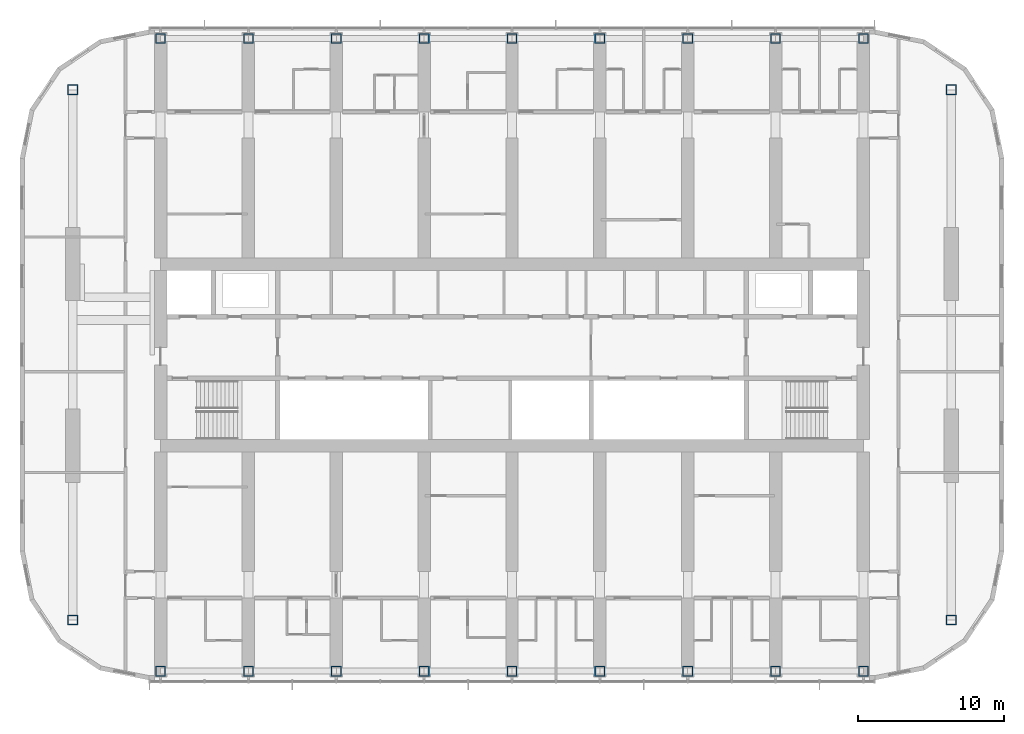
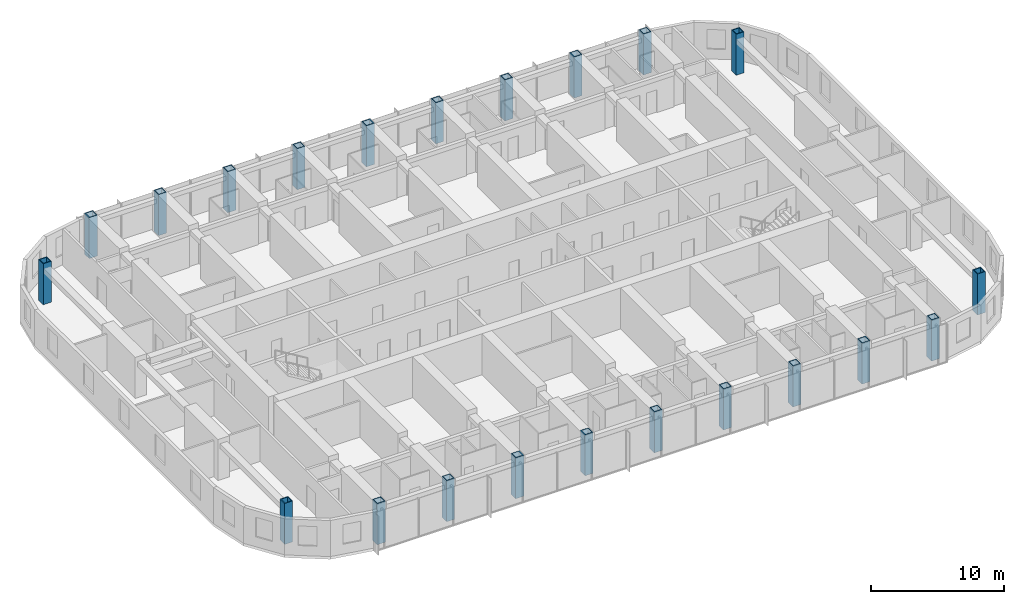
# One storey, part 1 of 23: 22 columns.
"""IFC4 building model written with IfcOpenShell, lengths in metres."""

from ifc_helpers import new_model, si_unit, direction, frame, origin, origin_2d, place, context, subcontext, project, spatial, hollow_rectangle, extrude, material, material_profile, profile_set, type_object, element, save


model = new_model("IFC4")

# Units and contexts
model_context = context("Model", 3, precision=1e-05, world=origin(), true_north=direction((0.0, 1.0)))
body_context = subcontext(model_context, "Body", "Model", "MODEL_VIEW")
ifc_project = project(units=[si_unit("LENGTHUNIT", "METRE"), si_unit("AREAUNIT", "SQUARE_METRE"), si_unit("VOLUMEUNIT", "CUBIC_METRE"), si_unit("PLANEANGLEUNIT", "RADIAN"), si_unit("MASSUNIT", "GRAM", prefix="KILO")], contexts=[model_context])

# Site, building, storey
site_placement = place(None, origin())
site = spatial("IfcSite", under=ifc_project, at=site_placement, CompositionType="ELEMENT")
building_placement = place(site_placement, origin())
building = spatial("IfcBuilding", under=site, at=building_placement, Name="Orbita Commons", CompositionType="ELEMENT")
storey_placement = place(building_placement, frame((0.0, 0.0, 174.85009765625)))
storey = spatial("IfcBuildingStorey", under=building, at=storey_placement, Name="L43", CompositionType="ELEMENT", Elevation=174.85009765625)

# Columns
ifc_material = material(Name="Steel ASTM A572 Gr 50 welded plate", Category="steel")
ifc_material_profile = material_profile(ifc_material, hollow_rectangle(XDim=0.699951171875, YDim=0.699951171875, WallThickness=0.070068359375, at=origin_2d()), Name="BOX 700x700x70")
ifc_profile_set = profile_set([ifc_material_profile], Name="Steel ASTM A572 Gr 50 welded plate")
column_type = type_object("IfcColumnType", Name="Steel column BOX 700x700x70", PredefinedType="COLUMN", material=ifc_profile_set)
for number, where, z_axis, x_axis, name in (
    (1, (18.0, 10.39990234375, 0.0), (0.0, 0.0, 1.0), (1.0, 0.0, 0.0), "Column 4/B L43"),
    (2, (18.0, 53.60009765625, 0.0), (0.0, 0.0, 1.0), (1.0, 0.0, 0.0), "Column 4/E L43"),
    (3, (24.0, 10.39990234375, 0.0), (0.0, 0.0, 1.0), (1.0, 0.0, 0.0), "Column 5/B L43"),
    (4, (24.0, 53.60009765625, 0.0), (0.0, 0.0, 1.0), (1.0, 0.0, 0.0), "Column 5/E L43"),
    (5, (30.0, 10.39990234375, 0.0), (0.0, 0.0, 1.0), (1.0, 0.0, 0.0), "Column 6/B L43"),
    (6, (30.0, 53.60009765625, 0.0), (0.0, 0.0, 1.0), (1.0, 0.0, 0.0), "Column 6/E L43"),
    (7, (36.0, 10.39990234375, 0.0), (0.0, 0.0, 1.0), (1.0, 0.0, 0.0), "Column 7/B L43"),
    (8, (36.0, 53.60009765625, 0.0), (0.0, 0.0, 1.0), (1.0, 0.0, 0.0), "Column 7/E L43"),
    (9, (42.0, 10.39990234375, 0.0), (0.0, 0.0, 1.0), (1.0, 0.0, 0.0), "Column 8/B L43"),
    (10, (42.0, 53.60009765625, 0.0), (0.0, 0.0, 1.0), (1.0, 0.0, 0.0), "Column 8/E L43"),
    (11, (48.0, 10.39990234375, 0.0), (0.0, 0.0, 1.0), (1.0, 0.0, 0.0), "Column 9/B L43"),
    (12, (48.0, 53.60009765625, 0.0), (0.0, 0.0, 1.0), (1.0, 0.0, 0.0), "Column 9/E L43"),
    (13, (54.0, 10.39990234375, 0.0), (0.0, 0.0, 1.0), (1.0, 0.0, 0.0), "Column 10/B L43"),
    (14, (54.0, 53.60009765625, 0.0), (0.0, 0.0, 1.0), (1.0, 0.0, 0.0), "Column 10/E L43"),
    (15, (60.0, 10.39990234375, 0.0), (0.0, 0.0, 1.0), (1.0, 0.0, 0.0), "Column 11/B L43"),
    (16, (60.0, 53.60009765625, 0.0), (0.0, 0.0, 1.0), (1.0, 0.0, 0.0), "Column 11/E L43"),
    (17, (66.0, 10.39990234375, 0.0), (0.0, 0.0, 1.0), (1.0, 0.0, 0.0), "Column 12/B L43"),
    (18, (66.0, 53.60009765625, 0.0), (0.0, 0.0, 1.0), (1.0, 0.0, 0.0), "Column 12/E L43"),
    (19, (12.0, 13.89990234375, 0.0), (0.0, 0.0, 1.0), (1.0, 0.0, 0.0), "Column 3/13.9 L43"),
    (20, (12.0, 50.10009765625, 0.0), (0.0, 0.0, 1.0), (1.0, 0.0, 0.0), "Column 3/50.1 L43"),
    (21, (72.0, 13.89990234375, 0.0), (0.0, 0.0, 1.0), (1.0, 0.0, 0.0), "Column 13/13.9 L43"),
    (22, (72.0, 50.10009765625, 0.0), (0.0, 0.0, 1.0), (1.0, 0.0, 0.0), "Column 13/50.1 L43"),
):
    element("IfcColumn", number, at=place(storey_placement, frame(where, z_axis=z_axis, x_axis=x_axis)), inside=storey, type_object=column_type, Name=name, PredefinedType="COLUMN", context=body_context, shape_type="SweptSolid", body=[
        extrude(hollow_rectangle(XDim=0.699951171875, YDim=0.699951171875, WallThickness=0.070068359375, at=origin_2d()), origin(), (0.0, 0.0, 1.0), 3.75),
    ])

save(model, "model.ifc")
